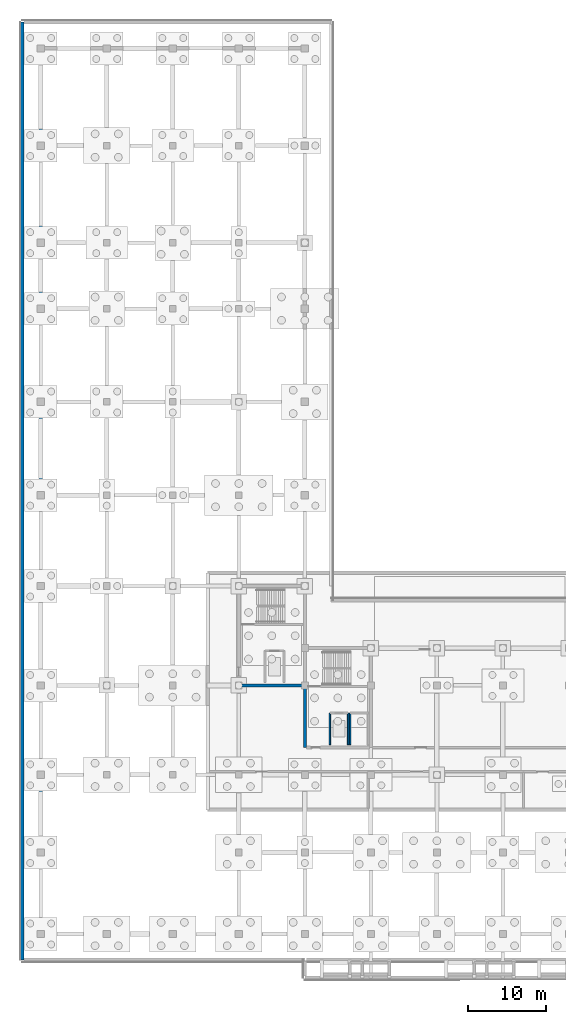
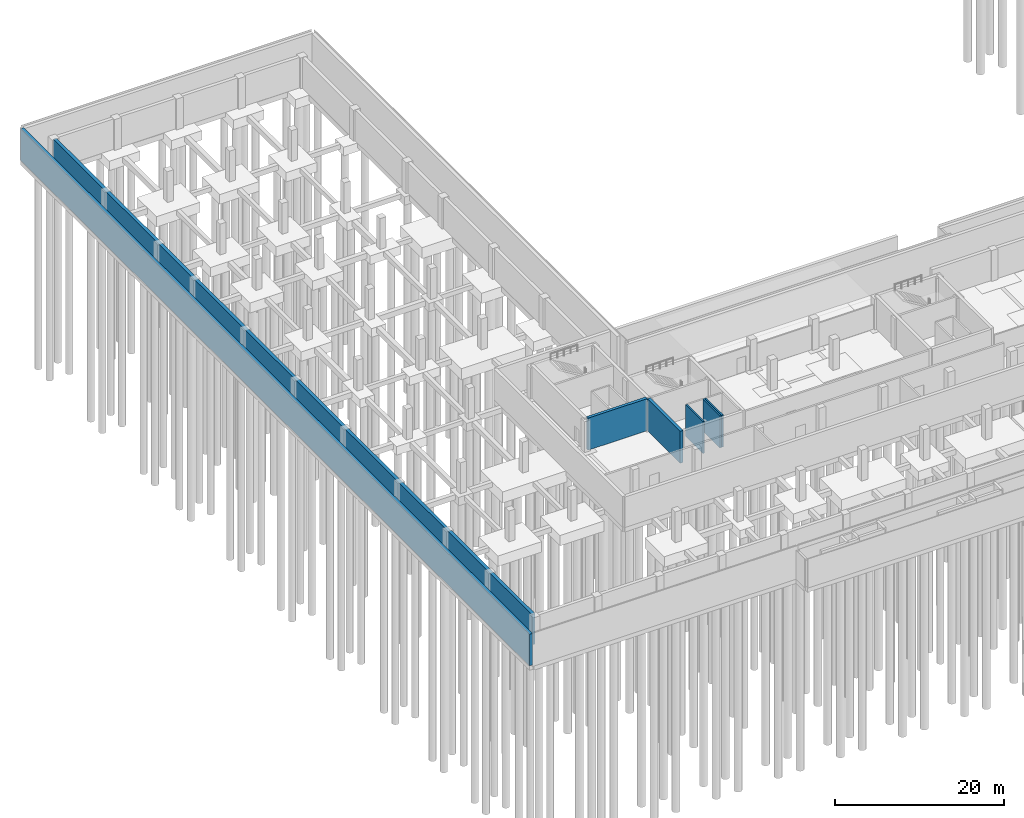
# One storey, part 10 of 25: 7 walls.
"""IFC4 building model written with IfcOpenShell, lengths in metres."""

from ifc_helpers import new_model, si_unit, direction, frame, frame_2d, origin, place, context, subcontext, project, spatial, rectangle, extrude, material, layer, layer_set, type_object, element, save


model = new_model("IFC4")

# Units and contexts
model_context = context("Model", 3, precision=1e-05, world=origin(), true_north=direction((0.0, 1.0)))
body_context = subcontext(model_context, "Body", "Model", "MODEL_VIEW")
ifc_project = project(units=[si_unit("LENGTHUNIT", "METRE"), si_unit("AREAUNIT", "SQUARE_METRE"), si_unit("VOLUMEUNIT", "CUBIC_METRE"), si_unit("PLANEANGLEUNIT", "RADIAN"), si_unit("MASSUNIT", "GRAM", prefix="KILO")], contexts=[model_context])

# Site, building, storey
site_placement = place(None, origin())
site = spatial("IfcSite", under=ifc_project, at=site_placement, CompositionType="ELEMENT")
building_placement = place(site_placement, origin())
building = spatial("IfcBuilding", under=site, at=building_placement, Name="Solvikara Media Centre", CompositionType="ELEMENT")
storey_placement = place(building_placement, frame((0.0, 0.0, -4.800048828125)))
storey = spatial("IfcBuildingStorey", under=building, at=storey_placement, Name="B01", CompositionType="ELEMENT", Elevation=-4.800048828125)

# Walls
ifc_material_1 = material(Name="Concrete fc' 45 MPa (C45/55)", Category="concrete")
ifc_layer_1 = layer(ifc_material_1, 0.449951171875)
ifc_layer_set_1 = layer_set([ifc_layer_1], Name="Concrete fc' 45 MPa (C45/55)")
wall_type_1 = type_object("IfcWallType", Name="WT-01", PredefinedType="SHEAR", material=ifc_layer_set_1)
wall_1_placement = place(storey_placement, frame((-2.3798828125, -3.330078125, 0.0), z_axis=(0.0, 0.0, 1.0), x_axis=(0.0, 1.0, 0.0)))
element("IfcWall", 1, at=wall_1_placement, inside=storey, type_object=wall_type_1, Name="W-B01-08", PredefinedType="SHEAR", context=body_context, shape_type="SweptSolid", body=[
    extrude(rectangle(XDim=120.7099609375, YDim=0.449951171875, at=frame_2d((60.35498046875, 0.0))), origin(), (0.0, 0.0, 1.0), 4.550048828125),
])
wall_2_placement = place(storey_placement, frame((0.0, 0.25, 0.0), z_axis=(0.0, 0.0, 1.0), x_axis=(0.0, 1.0, 0.0)))
element("IfcWall", 2, at=wall_2_placement, inside=storey, type_object=wall_type_1, Name="W-B01-18", PredefinedType="SHEAR", context=body_context, shape_type="SweptSolid", body=[
    extrude(rectangle(XDim=113.5, YDim=0.449951171875, at=frame_2d((56.75, 0.0))), origin(), (0.0, 0.0, 1.0), 4.420166015625),
])
ifc_layer_2 = layer(ifc_material_1, 0.39990234375)
ifc_layer_set_2 = layer_set([ifc_layer_2], Name="Concrete fc' 45 MPa (C45/55)")
wall_type_2 = type_object("IfcWallType", Name="WT-02", PredefinedType="SHEAR", material=ifc_layer_set_2)
wall_3_placement = place(storey_placement, frame((25.699951171875, 32.0, 0.0), z_axis=(0.0, 0.0, 1.0), x_axis=(1.0, 0.0, 0.0)))
element("IfcWall", 3, at=wall_3_placement, inside=storey, type_object=wall_type_2, Name="CW-C1-B01-S", PredefinedType="SHEAR", context=body_context, shape_type="SweptSolid", body=[
    extrude(rectangle(XDim=8.10009765625, YDim=0.39990234375, at=frame_2d((4.050048828125, 0.0))), origin(), (0.0, 0.0, 1.0), 4.64013671875),
])
wall_4_placement = place(storey_placement, frame((34.0, 24.0, 0.0), z_axis=(0.0, 0.0, 1.0), x_axis=(0.0, 1.0, 0.0)))
element("IfcWall", 4, at=wall_4_placement, inside=storey, type_object=wall_type_2, Name="CW-C2-B01-W", PredefinedType="SHEAR", context=body_context, shape_type="SweptSolid", body=[
    extrude(rectangle(XDim=7.800048828125, YDim=0.39990234375, at=frame_2d((3.89990234375, 0.0))), origin(), (0.0, 0.0, 1.0), 4.64013671875),
])
ifc_material_2 = material(Name="Fire-rated gypsum and mineral-wool shaft wall assembly")
ifc_layer_3 = layer(ifc_material_2, 0.2099609375)
ifc_layer_set_3 = layer_set([ifc_layer_3], Name="Fire-rated gypsum and mineral-wool shaft wall assembly")
wall_type_3 = type_object("IfcWallType", Name="WT-17", PredefinedType="PARTITIONING", material=ifc_layer_set_3)
for number, where, z_axis, x_axis, name in (
    (5, (37.22998046875, 24.39990234375, 0.0), (0.0, 0.0, 1.0), (0.0, 1.0, 0.0), "LW-LF-P1-B01-W"),
    (6, (39.570068359375, 24.39990234375, 0.0), (0.0, 0.0, 1.0), (0.0, 1.0, 0.0), "LW-LF-P1-B01-E"),
    (7, (39.830078125, 24.39990234375, 0.0), (0.0, 0.0, 1.0), (0.0, 1.0, 0.0), "LW-LF-P2-B01-W"),
):
    element("IfcWall", number, at=place(storey_placement, frame(where, z_axis=z_axis, x_axis=x_axis)), inside=storey, type_object=wall_type_3, Name=name, PredefinedType="PARTITIONING", context=body_context, shape_type="SweptSolid", body=[
        extrude(rectangle(XDim=4.050048828125, YDim=0.2099609375, at=frame_2d((2.02490234375, 0.0))), origin(), (0.0, 0.0, 1.0), 4.64013671875),
    ])

save(model, "model.ifc")
